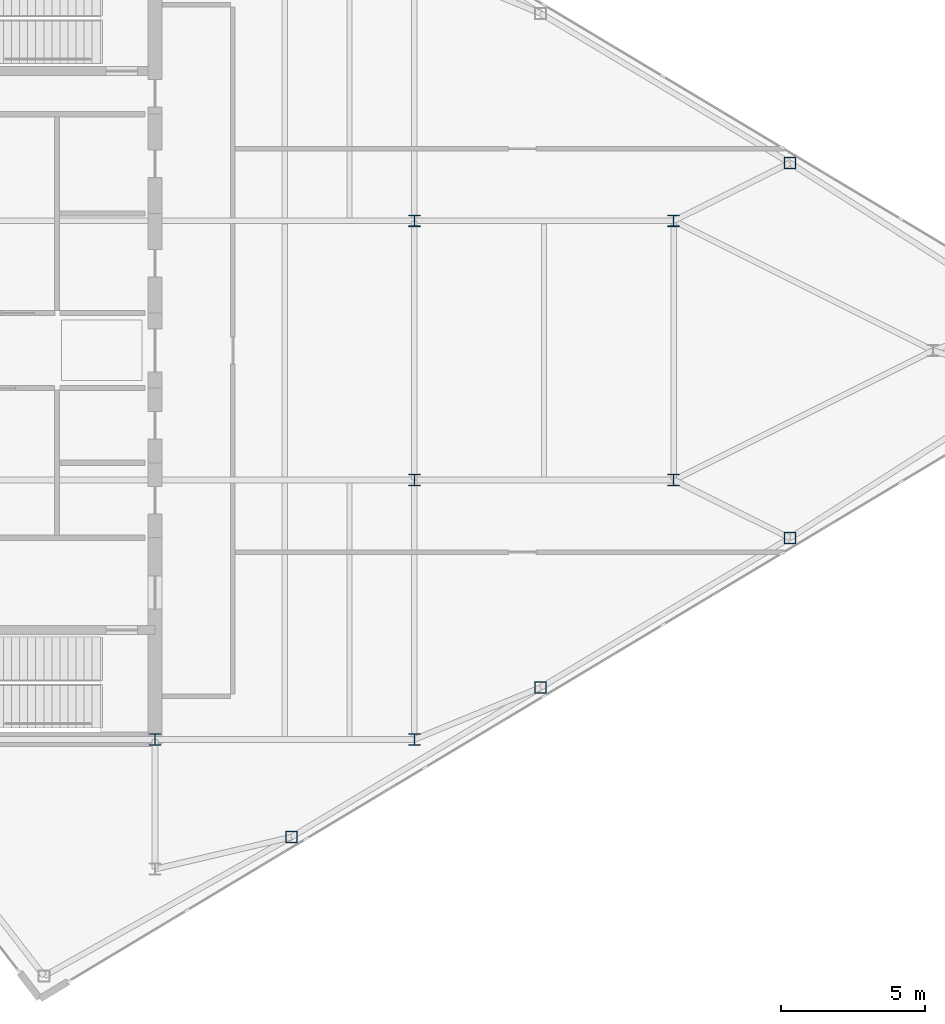
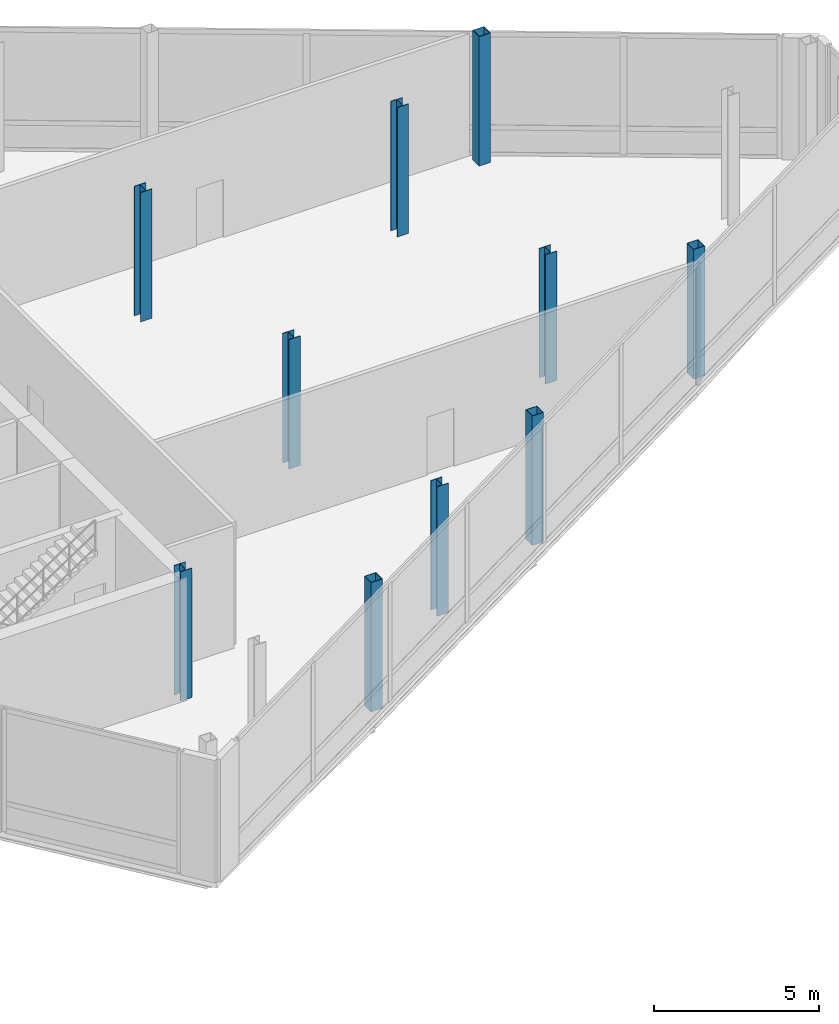
# One storey, part 5 of 29: 10 columns.
"""IFC4 building model written with IfcOpenShell, lengths in metres."""

from ifc_helpers import new_model, si_unit, direction, frame, origin, origin_2d, place, context, subcontext, project, spatial, hollow_rectangle, i_section, extrude, source, transform, mapped, material, material_profile, profile_set, type_object, type_shapes, element, save


model = new_model("IFC4")

# Units and contexts
model_context = context("Model", 3, precision=1e-05, world=origin(), true_north=direction((0.0, 1.0)))
body_context = subcontext(model_context, "Body", "Model", "MODEL_VIEW")
ifc_project = project(units=[si_unit("LENGTHUNIT", "METRE"), si_unit("AREAUNIT", "SQUARE_METRE"), si_unit("VOLUMEUNIT", "CUBIC_METRE"), si_unit("PLANEANGLEUNIT", "RADIAN"), si_unit("MASSUNIT", "GRAM", prefix="KILO")], contexts=[model_context])

# Site, building, storey
site_placement = place(None, origin())
site = spatial("IfcSite", under=ifc_project, at=site_placement, CompositionType="ELEMENT")
building_placement = place(site_placement, origin())
building = spatial("IfcBuilding", under=site, at=building_placement, Name="Seokmaru Belvedere", CompositionType="ELEMENT")
storey_placement = place(building_placement, frame((0.0, 0.0, 269.39990234375)))
storey = spatial("IfcBuildingStorey", under=building, at=storey_placement, Name="L71", CompositionType="ELEMENT", Elevation=269.39990234375)

# Columns
ifc_material = material(Name="Steel SM355 (355 MPa)", Category="steel")
ifc_material_profile_1 = material_profile(ifc_material, hollow_rectangle(XDim=0.39990234375, YDim=0.39990234375, WallThickness=0.01611328125, at=origin_2d()), Name="HSS-400x400x16")
ifc_profile_set_1 = profile_set([ifc_material_profile_1], Name="Steel SM355 (355 MPa)")
column_type_1 = type_object("IfcColumnType", Name="Perimeter Facet Column HSS-400", PredefinedType="COLUMN", material=ifc_profile_set_1)
shared_shape_1 = source(origin(), body_context, "Body", "SweptSolid", [
    extrude(hollow_rectangle(XDim=0.39990234375, YDim=0.39990234375, WallThickness=0.01611328125, at=origin_2d()), origin(), (0.0, 0.0, 1.0), 4.800048828125),
])
type_shapes(column_type_1, [shared_shape_1])
for number, where, z_axis, x_axis, name in (
    (1, (41.229736328125, -16.888916015625, 0.0), (0.0, 0.0, 1.0), (1.0, 0.0, 0.0), "L71 Column EFLK_S1"),
    (2, (49.8798828125, -11.698974609375, 0.0), (0.0, 0.0, 1.0), (1.0, 0.0, 0.0), "L71 Column EFLK_S2"),
    (3, (58.530029296875, -6.5087890625, 0.0), (0.0, 0.0, 1.0), (1.0, 0.0, 0.0), "L71 Column EFLK_S3"),
    (4, (58.530029296875, 6.5087890625, 0.0), (0.0, 0.0, 1.0), (1.0, 0.0, 0.0), "L71 Column EFLK_N3"),
):
    element("IfcColumn", number, at=place(storey_placement, frame(where, z_axis=z_axis, x_axis=x_axis)), inside=storey, type_object=column_type_1, Name=name, PredefinedType="COLUMN", context=body_context, shape_type="MappedRepresentation", body=[
        mapped(shared_shape_1, transform((0.0, 0.0, 0.0), scale=1.0)),
    ])
ifc_material_profile_2 = material_profile(ifc_material, i_section(OverallWidth=0.39990234375, OverallDepth=0.39990234375, WebThickness=0.012939453125, FlangeThickness=0.02099609375, at=origin_2d()), Name="H-400x400x13x21")
ifc_profile_set_2 = profile_set([ifc_material_profile_2], Name="Steel SM355 (355 MPa)")
column_type_2 = type_object("IfcColumnType", Name="Observatory Column H-400", PredefinedType="COLUMN", material=ifc_profile_set_2)
shared_shape_2 = source(origin(), body_context, "Body", "SweptSolid", [
    extrude(i_section(OverallWidth=0.39990234375, OverallDepth=0.39990234375, WebThickness=0.012939453125, FlangeThickness=0.02099609375, at=origin_2d()), origin(), (0.0, 0.0, 1.0), 4.800048828125),
])
type_shapes(column_type_2, [shared_shape_2])
for number, where, z_axis, x_axis, name in (
    (5, (36.5, -13.5, 0.0), (0.0, 0.0, 1.0), (1.0, 0.0, 0.0), "L71 Column EC2"),
    (6, (45.5, -13.5, 0.0), (0.0, 0.0, 1.0), (1.0, 0.0, 0.0), "L71 Column EG5_1"),
    (7, (45.5, -4.5, 0.0), (0.0, 0.0, 1.0), (1.0, 0.0, 0.0), "L71 Column EG5_2"),
    (8, (45.5, 4.5, 0.0), (0.0, 0.0, 1.0), (1.0, 0.0, 0.0), "L71 Column EG5_3"),
    (9, (54.5, -4.5, 0.0), (0.0, 0.0, 1.0), (1.0, 0.0, 0.0), "L71 Column EG4P_1"),
    (10, (54.5, 4.5, 0.0), (0.0, 0.0, 1.0), (1.0, 0.0, 0.0), "L71 Column EG4P_2"),
):
    element("IfcColumn", number, at=place(storey_placement, frame(where, z_axis=z_axis, x_axis=x_axis)), inside=storey, type_object=column_type_2, Name=name, PredefinedType="COLUMN", context=body_context, shape_type="MappedRepresentation", body=[
        mapped(shared_shape_2, transform((0.0, 0.0, 0.0), scale=1.0)),
    ])

save(model, "model.ifc")
